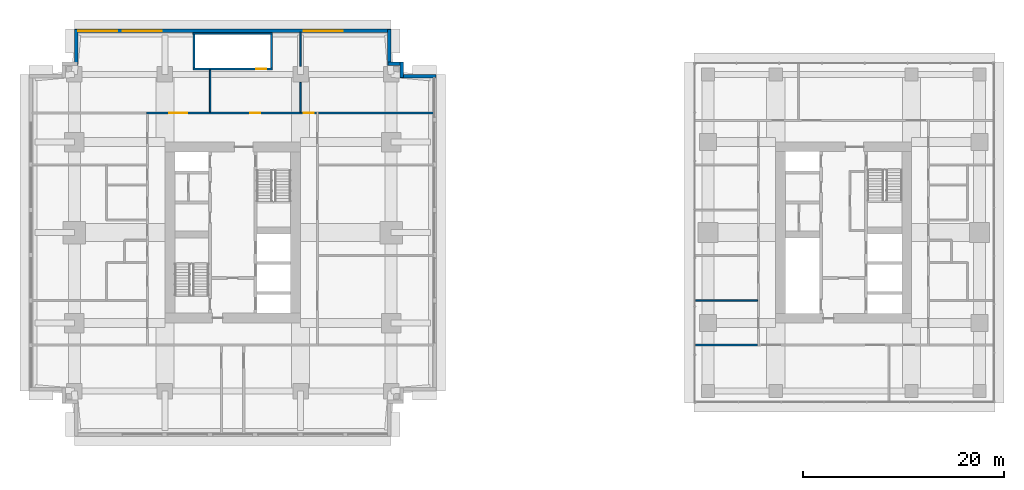
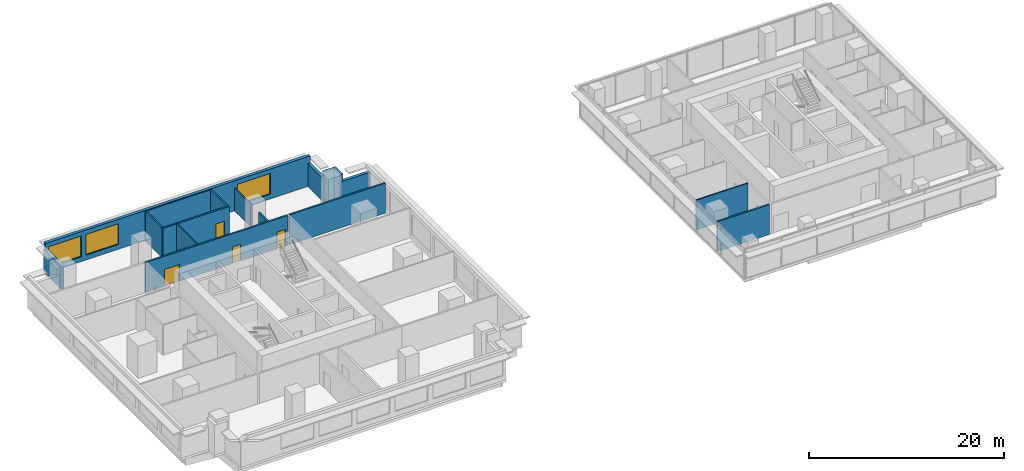
# One storey, part 9 of 14: 17 walls, 4 doors, 3 windows, 7 openings.
"""IFC4 building model written with IfcOpenShell, lengths in metres."""

from ifc_helpers import new_model, si_unit, direction, frame, frame_2d, origin, place, context, subcontext, project, spatial, rectangle, extrude, material, layer, layer_set, type_object, element, fill, save


model = new_model("IFC4")

# Units and contexts
model_context = context("Model", 3, precision=1e-05, world=origin(), true_north=direction((0.0, 1.0)))
body_context = subcontext(model_context, "Body", "Model", "MODEL_VIEW")
ifc_project = project(units=[si_unit("LENGTHUNIT", "METRE"), si_unit("AREAUNIT", "SQUARE_METRE"), si_unit("VOLUMEUNIT", "CUBIC_METRE"), si_unit("PLANEANGLEUNIT", "RADIAN"), si_unit("MASSUNIT", "GRAM", prefix="KILO")], contexts=[model_context])

# Site, building, storey
site_placement = place(None, origin())
site = spatial("IfcSite", under=ifc_project, at=site_placement, CompositionType="ELEMENT")
building_placement = place(site_placement, origin())
building = spatial("IfcBuilding", under=site, at=building_placement, Name="Namib Vertical Campus", CompositionType="ELEMENT")
storey_placement = place(building_placement, frame((0.0, 0.0, 233.0)))
storey = spatial("IfcBuildingStorey", under=building, at=storey_placement, Name="L55", CompositionType="ELEMENT", Elevation=233.0)

# Wall, openings, doors
ifc_material_1 = material(Name="Concrete masonry", Category="masonry")
ifc_layer_1 = layer(ifc_material_1, 0.199951171875)
ifc_layer_set_1 = layer_set([ifc_layer_1], Name="Corridor wall 200")
wall_type_1 = type_object("IfcWallType", Name="Corridor wall 200", PredefinedType="SOLIDWALL", material=ifc_layer_set_1)
wall_1_placement = place(storey_placement, frame((28.60009765625, 32.14990234375, 0.0), z_axis=(0.0, 0.0, 1.0), x_axis=(-1.0, 0.0, 0.0)))
wall_1 = element("IfcWall", 1, at=wall_1_placement, inside=storey, type_object=wall_type_1, Name="Corridor wall A L55 CN", PredefinedType="SOLIDWALL", context=body_context, shape_type="SweptSolid", body=[
    extrude(rectangle(XDim=16.900146484375, YDim=0.199951171875, at=frame_2d((8.4501953125, 0.0))), origin(), (0.0, 0.0, 1.0), 3.75),
])
opening_1_placement = place(wall_1_placement, frame((12.85009765625, 0.0, 0.0)))
opening_1 = element("IfcOpeningElement", 2, at=opening_1_placement, cuts=wall_1, Name="Opening CD2", PredefinedType="OPENING", context=body_context, shape_type="SweptSolid", body=[
    extrude(rectangle(XDim=1.800048828125, YDim=2.10009765625, at=frame_2d((0.89990234375, 1.050048828125))), frame((0.0, 0.10986328125, 0.0), z_axis=(0.0, -1.0, 0.0), x_axis=(1.0, 0.0, 0.0)), (0.0, 0.0, 1.0), 0.219970703125),
])
opening_2_placement = place(wall_1_placement, frame((5.60009765625, 0.0, 0.0)))
opening_2 = element("IfcOpeningElement", 3, at=opening_2_placement, cuts=wall_1, Name="Opening CD1", PredefinedType="OPENING", context=body_context, shape_type="SweptSolid", body=[
    extrude(rectangle(XDim=1.0, YDim=2.10009765625, at=frame_2d((0.5, 1.050048828125))), frame((0.0, 0.10986328125, 0.0), z_axis=(0.0, -1.0, 0.0), x_axis=(1.0, 0.0, 0.0)), (0.0, 0.0, 1.0), 0.219970703125),
])
opening_3_placement = place(wall_1_placement, frame((0.27490234375, 0.0, 0.0)))
opening_3 = element("IfcOpeningElement", 4, at=opening_3_placement, cuts=wall_1, Name="Opening CD1", PredefinedType="OPENING", context=body_context, shape_type="SweptSolid", body=[
    extrude(rectangle(XDim=1.0, YDim=2.10009765625, at=frame_2d((0.5, 1.050048828125))), frame((0.0, 0.10986328125, 0.0), z_axis=(0.0, -1.0, 0.0), x_axis=(1.0, 0.0, 0.0)), (0.0, 0.0, 1.0), 0.219970703125),
])
ifc_material_2 = material(Name="Timber fire door leaf", Category="wood")
door_type_1 = type_object("IfcDoorType", Name="Corridor door 1000x2100 20 min", OperationType="SINGLE_SWING_LEFT", PredefinedType="DOOR", material=ifc_material_2)
door_1_placement = place(opening_2_placement, frame((1.0, 0.0, 0.0), z_axis=(0.0, 0.0, 1.0), x_axis=(-1.0, 0.0, 0.0)))
door_1 = element("IfcDoor", 5, at=door_1_placement, inside=storey, type_object=door_type_1, Name="Door CD1 A55-07", OperationType="SINGLE_SWING_RIGHT", OverallHeight=2.10009765625, OverallWidth=1.0, PredefinedType="DOOR", context=body_context, shape_type="SweptSolid", body=[
    extrude(rectangle(XDim=1.0, YDim=2.10009765625, at=frame_2d((0.5, 1.050048828125))), frame((0.0, 0.02490234375, 0.0), z_axis=(0.0, -1.0, 0.0), x_axis=(1.0, 0.0, 0.0)), (0.0, 0.0, 1.0), 0.050048828125),
])
fill(opening_2, door_1)
door_2_placement = place(opening_3_placement, frame((1.0, 0.0, 0.0), z_axis=(0.0, 0.0, 1.0), x_axis=(-1.0, 0.0, 0.0)))
door_2 = element("IfcDoor", 6, at=door_2_placement, inside=storey, type_object=door_type_1, Name="Door CD1 A55-08", OperationType="SINGLE_SWING_LEFT", OverallHeight=2.10009765625, OverallWidth=1.0, PredefinedType="DOOR", context=body_context, shape_type="SweptSolid", body=[
    extrude(rectangle(XDim=1.0, YDim=2.10009765625, at=frame_2d((0.5, 1.050048828125))), frame((0.0, 0.02490234375, 0.0), z_axis=(0.0, -1.0, 0.0), x_axis=(1.0, 0.0, 0.0)), (0.0, 0.0, 1.0), 0.050048828125),
])
fill(opening_3, door_2)
ifc_material_3 = material(Name="Timber fire door leaf", Category="wood")
door_type_2 = type_object("IfcDoorType", Name="Corridor door double 1800x2100 20 min", OperationType="DOUBLE_DOOR_SINGLE_SWING", PredefinedType="DOOR", material=ifc_material_3)
door_3_placement = place(opening_1_placement, frame((1.800048828125, 0.0, 0.0), z_axis=(0.0, 0.0, 1.0), x_axis=(-1.0, 0.0, 0.0)))
door_3 = element("IfcDoor", 7, at=door_3_placement, inside=storey, type_object=door_type_2, Name="Door CD2 A55-06", OperationType="DOUBLE_DOOR_SINGLE_SWING", OverallHeight=2.10009765625, OverallWidth=1.800048828125, PredefinedType="DOOR", context=body_context, shape_type="SweptSolid", body=[
    extrude(rectangle(XDim=1.800048828125, YDim=2.10009765625, at=frame_2d((0.89990234375, 1.050048828125))), frame((0.0, 0.02490234375, 0.0), z_axis=(0.0, -1.0, 0.0), x_axis=(1.0, 0.0, 0.0)), (0.0, 0.0, 1.0), 0.050048828125),
])
fill(opening_1, door_3)

# Walls
wall_2_placement = place(storey_placement, frame((28.800048828125, 32.14990234375, 0.0), z_axis=(0.0, 0.0, 1.0), x_axis=(1.0, 0.0, 0.0)))
element("IfcWall", 8, at=wall_2_placement, inside=storey, type_object=wall_type_1, Name="Partition A L55 BNE", PredefinedType="SOLIDWALL", context=body_context, shape_type="SweptSolid", body=[
    extrude(rectangle(XDim=11.39990234375, YDim=0.199951171875, at=frame_2d((5.699951171875, 0.0))), origin(), (0.0, 0.0, 1.0), 3.75),
])
wall_3_placement = place(storey_placement, frame((66.280029296875, 9.10009765625, 0.0), z_axis=(0.0, 0.0, 1.0), x_axis=(1.0, 0.0, 0.0)))
element("IfcWall", 9, at=wall_3_placement, inside=storey, type_object=wall_type_1, Name="Partition B L55 BSW", PredefinedType="SOLIDWALL", context=body_context, shape_type="SweptSolid", body=[
    extrude(rectangle(XDim=6.169921875, YDim=0.199951171875, at=frame_2d((3.0849609375, 0.0))), origin(), (0.0, 0.0, 1.0), 3.75),
])
ifc_material_4 = material(Name="Concrete C40/50", Category="concrete")
ifc_layer_2 = layer(ifc_material_4, 0.35009765625)
ifc_layer_set_2 = layer_set([ifc_layer_2], Name="Concrete C40/50")
wall_type_2 = type_object("IfcWallType", Name="External wall 350 bush-hammered concrete", PredefinedType="STANDARD", material=ifc_layer_set_2)
wall_4_placement = place(storey_placement, frame((40.47998046875, 35.824951171875, 0.0), z_axis=(0.0, 0.0, 1.0), x_axis=(-1.0, 0.0, 0.0)))
element("IfcWall", 10, at=wall_4_placement, inside=storey, type_object=wall_type_2, Name="External wall L55 F07", PredefinedType="STANDARD", context=body_context, shape_type="SweptSolid", body=[
    extrude(rectangle(XDim=3.5849609375, YDim=0.35009765625, at=frame_2d((1.79248046875, 0.0))), origin(), (0.0, 0.0, 1.0), 2.85009765625),
])
for number, where, z_axis, x_axis, name in (
    (11, (37.050048828125, 35.669921875, 0.0), (0.0, 0.0, 1.0), (0.0, 1.0, 0.0), "External wall L55 F08"),
    (12, (37.205078125, 37.050048828125, 0.0), (0.0, 0.0, 1.0), (-1.0, 0.0, 0.0), "External wall L55 F09"),
):
    element("IfcWall", number, at=place(storey_placement, frame(where, z_axis=z_axis, x_axis=x_axis)), inside=storey, type_object=wall_type_2, Name=name, PredefinedType="STANDARD", context=body_context, shape_type="SweptSolid", body=[
        extrude(rectangle(XDim=1.53515625, YDim=0.35009765625, at=frame_2d((0.767578125, 0.0))), origin(), (0.0, 0.0, 1.0), 3.75),
    ])
wall_5_placement = place(storey_placement, frame((35.824951171875, 36.89501953125, 0.0), z_axis=(0.0, 0.0, 1.0), x_axis=(0.0, 1.0, 0.0)))
element("IfcWall", 13, at=wall_5_placement, inside=storey, type_object=wall_type_2, Name="External wall L55 F10", PredefinedType="STANDARD", context=body_context, shape_type="SweptSolid", body=[
    extrude(rectangle(XDim=3.5849609375, YDim=0.35009765625, at=frame_2d((1.79248046875, 0.0))), origin(), (0.0, 0.0, 1.0), 2.85009765625),
])

# Wall, openings, windows
wall_6_placement = place(storey_placement, frame((35.97998046875, 40.324951171875, 0.0), z_axis=(0.0, 0.0, 1.0), x_axis=(-1.0, 0.0, 0.0)))
wall_6 = element("IfcWall", 14, at=wall_6_placement, inside=storey, type_object=wall_type_2, Name="External wall L55 F11", PredefinedType="STANDARD", context=body_context, shape_type="SweptSolid", body=[
    extrude(rectangle(XDim=31.4599609375, YDim=0.35009765625, at=frame_2d((15.72998046875, 0.0))), origin(), (0.0, 0.0, 1.0), 3.75),
])
opening_4_placement = place(wall_6_placement, frame((27.2099609375, 0.0, 0.60009765625)))
opening_4 = element("IfcOpeningElement", 15, at=opening_4_placement, cuts=wall_6, Name="Opening W2", PredefinedType="OPENING", context=body_context, shape_type="SweptSolid", body=[
    extrude(rectangle(XDim=3.89990234375, YDim=2.60009765625, at=frame_2d((1.949951171875, 1.300048828125))), frame((0.0, 0.18505859375, 0.0), z_axis=(0.0, -1.0, 0.0), x_axis=(1.0, 0.0, 0.0)), (0.0, 0.0, 1.0), 0.3701171875),
])
opening_5_placement = place(wall_6_placement, frame((22.780029296875, 0.0, 0.60009765625)))
opening_5 = element("IfcOpeningElement", 16, at=opening_5_placement, cuts=wall_6, Name="Opening W2", PredefinedType="OPENING", context=body_context, shape_type="SweptSolid", body=[
    extrude(rectangle(XDim=3.89990234375, YDim=2.60009765625, at=frame_2d((1.949951171875, 1.300048828125))), frame((0.0, 0.18505859375, 0.0), z_axis=(0.0, -1.0, 0.0), x_axis=(1.0, 0.0, 0.0)), (0.0, 0.0, 1.0), 0.3701171875),
])
opening_6_placement = place(wall_6_placement, frame((4.780029296875, 0.0, 0.60009765625)))
opening_6 = element("IfcOpeningElement", 17, at=opening_6_placement, cuts=wall_6, Name="Opening W2", PredefinedType="OPENING", context=body_context, shape_type="SweptSolid", body=[
    extrude(rectangle(XDim=3.89990234375, YDim=2.60009765625, at=frame_2d((1.949951171875, 1.300048828125))), frame((0.0, 0.18505859375, 0.0), z_axis=(0.0, -1.0, 0.0), x_axis=(1.0, 0.0, 0.0)), (0.0, 0.0, 1.0), 0.3701171875),
])
ifc_material_5 = material(Name="Dark tinted glass in black aluminium frame", Category="aluminium")
window_type = type_object("IfcWindowType", Name="Ribbon window 3900x2600", PartitioningType="SINGLE_PANEL", PredefinedType="WINDOW", material=ifc_material_5)
window_1_placement = place(opening_4_placement, origin())
window_1 = element("IfcWindow", 18, at=window_1_placement, inside=storey, type_object=window_type, Name="Window W2 L55 F11-1", OverallHeight=2.60009765625, OverallWidth=3.89990234375, PartitioningType="SINGLE_PANEL", PredefinedType="WINDOW", context=body_context, shape_type="SweptSolid", body=[
    extrude(rectangle(XDim=3.89990234375, YDim=2.60009765625, at=frame_2d((1.949951171875, 1.300048828125))), frame((0.0, 0.030029296875, 0.0), z_axis=(0.0, -1.0, 0.0), x_axis=(1.0, 0.0, 0.0)), (0.0, 0.0, 1.0), 0.06005859375),
])
fill(opening_4, window_1)
window_2_placement = place(opening_5_placement, origin())
window_2 = element("IfcWindow", 19, at=window_2_placement, inside=storey, type_object=window_type, Name="Window W2 L55 F11-2", OverallHeight=2.60009765625, OverallWidth=3.89990234375, PartitioningType="SINGLE_PANEL", PredefinedType="WINDOW", context=body_context, shape_type="SweptSolid", body=[
    extrude(rectangle(XDim=3.89990234375, YDim=2.60009765625, at=frame_2d((1.949951171875, 1.300048828125))), frame((0.0, 0.030029296875, 0.0), z_axis=(0.0, -1.0, 0.0), x_axis=(1.0, 0.0, 0.0)), (0.0, 0.0, 1.0), 0.06005859375),
])
fill(opening_5, window_2)
window_3_placement = place(opening_6_placement, origin())
window_3 = element("IfcWindow", 20, at=window_3_placement, inside=storey, type_object=window_type, Name="Window W2 L55 F11-6", OverallHeight=2.60009765625, OverallWidth=3.89990234375, PartitioningType="SINGLE_PANEL", PredefinedType="WINDOW", context=body_context, shape_type="SweptSolid", body=[
    extrude(rectangle(XDim=3.89990234375, YDim=2.60009765625, at=frame_2d((1.949951171875, 1.300048828125))), frame((0.0, 0.030029296875, 0.0), z_axis=(0.0, -1.0, 0.0), x_axis=(1.0, 0.0, 0.0)), (0.0, 0.0, 1.0), 0.06005859375),
])
fill(opening_6, window_3)

# Walls
wall_7_placement = place(storey_placement, frame((4.675048828125, 40.47998046875, 0.0), z_axis=(0.0, 0.0, 1.0), x_axis=(0.0, -1.0, 0.0)))
element("IfcWall", 21, at=wall_7_placement, inside=storey, type_object=wall_type_2, Name="External wall L55 F12", PredefinedType="STANDARD", context=body_context, shape_type="SweptSolid", body=[
    extrude(rectangle(XDim=3.5849609375, YDim=0.35009765625, at=frame_2d((1.79248046875, 0.0))), origin(), (0.0, 0.0, 1.0), 2.85009765625),
])
ifc_material_6 = material(Name="Gypsum board on steel studs", Category="steel")
ifc_layer_3 = layer(ifc_material_6, 0.14990234375)
ifc_layer_set_3 = layer_set([ifc_layer_3], Name="Gypsum board on steel studs")
wall_type_3 = type_object("IfcWallType", Name="Partition 150", PredefinedType="PARTITIONING", material=ifc_layer_set_3)
wall_8_placement = place(storey_placement, frame((18.0, 32.25, 0.0), z_axis=(0.0, 0.0, 1.0), x_axis=(0.0, 1.0, 0.0)))
element("IfcWall", 22, at=wall_8_placement, inside=storey, type_object=wall_type_3, Name="Partition A L55 PN1", PredefinedType="PARTITIONING", context=body_context, shape_type="SweptSolid", body=[
    extrude(rectangle(XDim=4.199951171875, YDim=0.14990234375, at=frame_2d((2.10009765625, 0.0))), origin(), (0.0, 0.0, 1.0), 3.75),
])
wall_9_placement = place(storey_placement, frame((27.0, 32.25, 0.0), z_axis=(0.0, 0.0, 1.0), x_axis=(0.0, 1.0, 0.0)))
element("IfcWall", 23, at=wall_9_placement, inside=storey, type_object=wall_type_3, Name="Partition A L55 PN2", PredefinedType="PARTITIONING", context=body_context, shape_type="SweptSolid", body=[
    extrude(rectangle(XDim=2.955078125, YDim=0.14990234375, at=frame_2d((1.4775390625, 0.0))), origin(), (0.0, 0.0, 1.0), 2.85009765625),
])
wall_10_placement = place(storey_placement, frame((27.0, 36.794921875, 0.0), z_axis=(0.0, 0.0, 1.0), x_axis=(0.0, 1.0, 0.0)))
element("IfcWall", 24, at=wall_10_placement, inside=storey, type_object=wall_type_3, Name="Partition A L55 PN2", PredefinedType="PARTITIONING", context=body_context, shape_type="SweptSolid", body=[
    extrude(rectangle(XDim=3.405029296875, YDim=0.14990234375, at=frame_2d((1.70263671875, 0.0))), origin(), (0.0, 0.0, 1.0), 2.85009765625),
])
wall_11_placement = place(storey_placement, frame((66.280029296875, 13.5, 0.0), z_axis=(0.0, 0.0, 1.0), x_axis=(1.0, 0.0, 0.0)))
element("IfcWall", 25, at=wall_11_placement, inside=storey, type_object=wall_type_3, Name="Partition B L55 PW1", PredefinedType="PARTITIONING", context=body_context, shape_type="SweptSolid", body=[
    extrude(rectangle(XDim=6.169921875, YDim=0.14990234375, at=frame_2d((3.0849609375, 0.0))), origin(), (0.0, 0.0, 1.0), 3.75),
])
ifc_material_7 = material(Name="Concrete C40/50", Category="concrete")
ifc_layer_4 = layer(ifc_material_7, 0.14990234375)
ifc_layer_set_4 = layer_set([ifc_layer_4], Name="Concrete C40/50")
wall_type_4 = type_object("IfcWallType", Name="Stair enclosure wall RC 150", PredefinedType="SOLIDWALL", material=ifc_layer_set_4)
wall_12_placement = place(storey_placement, frame((16.300048828125, 40.074951171875, 0.0), z_axis=(0.0, 0.0, 1.0), x_axis=(1.0, 0.0, 0.0)))
element("IfcWall", 26, at=wall_12_placement, inside=storey, type_object=wall_type_4, Name="Stair enclosure wall A-S3 L55 N", PredefinedType="SOLIDWALL", context=body_context, shape_type="SweptSolid", body=[
    extrude(rectangle(XDim=7.89990234375, YDim=0.14990234375, at=frame_2d((3.949951171875, 0.0))), origin(), (0.0, 0.0, 1.0), 3.75),
])

# Wall, opening, door
ifc_material_8 = material(Name="Concrete C40/50", Category="concrete")
ifc_layer_5 = layer(ifc_material_8, 0.199951171875)
ifc_layer_set_5 = layer_set([ifc_layer_5], Name="Concrete C40/50")
wall_type_5 = type_object("IfcWallType", Name="Stair enclosure wall RC 200", PredefinedType="SOLIDWALL", material=ifc_layer_set_5)
wall_13_placement = place(storey_placement, frame((16.300048828125, 36.550048828125, 0.0), z_axis=(0.0, 0.0, 1.0), x_axis=(1.0, 0.0, 0.0)))
wall_13 = element("IfcWall", 27, at=wall_13_placement, inside=storey, type_object=wall_type_5, Name="Stair enclosure wall A-S3 L55 S", PredefinedType="SOLIDWALL", context=body_context, shape_type="SweptSolid", body=[
    extrude(rectangle(XDim=7.89990234375, YDim=0.199951171875, at=frame_2d((3.949951171875, 0.0))), origin(), (0.0, 0.0, 1.0), 3.75),
])
opening_7_placement = place(wall_13_placement, frame((6.300048828125, 0.0, 0.0)))
opening_7 = element("IfcOpeningElement", 28, at=opening_7_placement, cuts=wall_13, Name="Opening FD1", PredefinedType="OPENING", context=body_context, shape_type="SweptSolid", body=[
    extrude(rectangle(XDim=1.0, YDim=2.10009765625, at=frame_2d((0.5, 1.050048828125))), frame((0.0, 0.10986328125, 0.0), z_axis=(0.0, -1.0, 0.0), x_axis=(1.0, 0.0, 0.0)), (0.0, 0.0, 1.0), 0.219970703125),
])
ifc_material_9 = material(Name="Steel fire door", Category="steel")
door_type_3 = type_object("IfcDoorType", Name="Fire door 1000x2100", OperationType="SINGLE_SWING_RIGHT", PredefinedType="DOOR", material=ifc_material_9)
door_4_placement = place(opening_7_placement, origin())
door_4 = element("IfcDoor", 29, at=door_4_placement, inside=storey, type_object=door_type_3, Name="Stair door FD1 A L55 S3", OperationType="SINGLE_SWING_RIGHT", OverallHeight=2.10009765625, OverallWidth=1.0, PredefinedType="DOOR", context=body_context, shape_type="SweptSolid", body=[
    extrude(rectangle(XDim=1.0, YDim=2.10009765625, at=frame_2d((0.5, 1.050048828125))), frame((0.0, 0.02490234375, 0.0), z_axis=(0.0, -1.0, 0.0), x_axis=(1.0, 0.0, 0.0)), (0.0, 0.0, 1.0), 0.050048828125),
])
fill(opening_7, door_4)

# Walls
for number, where, z_axis, x_axis, name in (
    (30, (16.39990234375, 36.64990234375, 0.0), (0.0, 0.0, 1.0), (0.0, 1.0, 0.0), "Stair enclosure wall A-S3 L55 W"),
    (31, (24.10009765625, 36.64990234375, 0.0), (0.0, 0.0, 1.0), (0.0, 1.0, 0.0), "Stair enclosure wall A-S3 L55 E"),
):
    element("IfcWall", number, at=place(storey_placement, frame(where, z_axis=z_axis, x_axis=x_axis)), inside=storey, type_object=wall_type_5, Name=name, PredefinedType="SOLIDWALL", context=body_context, shape_type="SweptSolid", body=[
        extrude(rectangle(XDim=3.35009765625, YDim=0.199951171875, at=frame_2d((1.675048828125, 0.0))), origin(), (0.0, 0.0, 1.0), 3.75),
    ])

save(model, "model.ifc")
